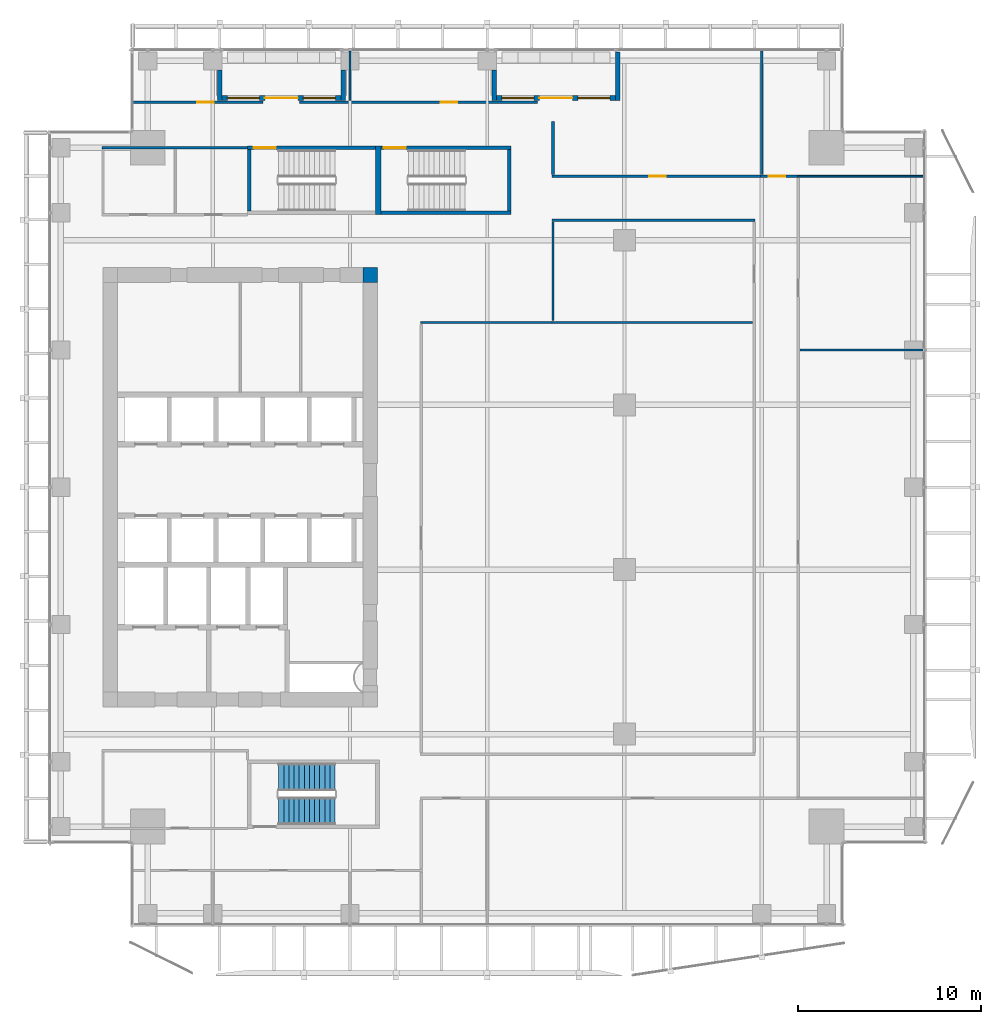
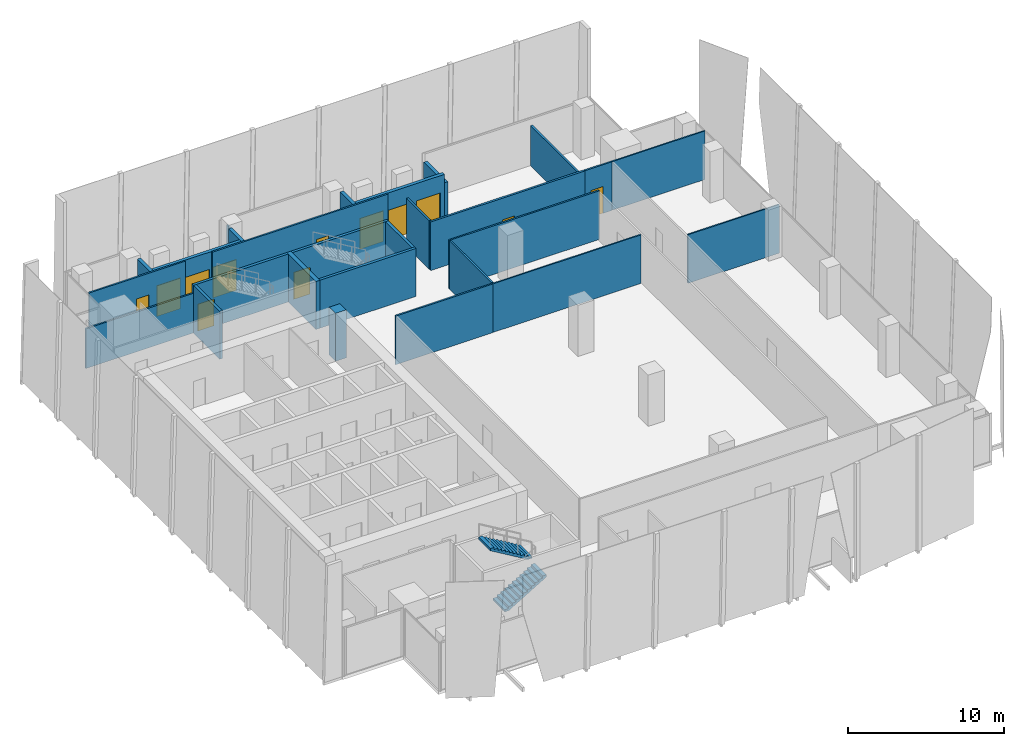
# One storey, part 30 of 35: 27 walls, 8 doors, 4 windows, 2 stair flights, 12 openings, 1 element without a shape of its own.
"""IFC4 building model written with IfcOpenShell, lengths in metres."""

from ifc_helpers import new_model, si_unit, direction, frame, frame_2d, origin, place, context, subcontext, project, spatial, polyline, rectangle, outline, extrude, source, transform, mapped, material, layer, layer_set, type_object, element, fill, aggregate, save


model = new_model("IFC4")

# Units and contexts
model_context = context("Model", 3, precision=1e-05, world=origin(), true_north=direction((0.0, 1.0)))
body_context = subcontext(model_context, "Body", "Model", "MODEL_VIEW")
ifc_project = project(units=[si_unit("LENGTHUNIT", "METRE"), si_unit("AREAUNIT", "SQUARE_METRE"), si_unit("VOLUMEUNIT", "CUBIC_METRE"), si_unit("PLANEANGLEUNIT", "RADIAN"), si_unit("MASSUNIT", "GRAM", prefix="KILO")], contexts=[model_context])

# Site, building, storey
site_placement = place(None, origin())
site = spatial("IfcSite", under=ifc_project, at=site_placement, CompositionType="ELEMENT")
building_placement = place(site_placement, origin())
building = spatial("IfcBuilding", under=site, at=building_placement, Name="Khomas Fold Tower", CompositionType="ELEMENT")
storey_placement = place(building_placement, frame((0.0, 0.0, 212.699951171875)))
storey = spatial("IfcBuildingStorey", under=building, at=storey_placement, Name="L47", CompositionType="ELEMENT", Elevation=212.699951171875)

# Wall
ifc_material_1 = material(Name="Concrete C60/75", Category="concrete")
ifc_layer_1 = layer(ifc_material_1, 0.800048828125)
ifc_layer_set_1 = layer_set([ifc_layer_1], Name="Concrete C60/75")
wall_type_1 = type_object("IfcWallType", Name="Core corner wall 800", PredefinedType="SHEAR", material=ifc_layer_set_1)
shared_shape_1 = source(origin(), body_context, "Body", "SweptSolid", [
    extrude(rectangle(XDim=0.800048828125, YDim=0.800048828125, at=frame_2d((0.39990234375, 0.0))), origin(), (0.0, 0.0, 1.0), 3.75),
])
wall_1_placement = place(storey_placement, frame((20.199951171875, 38.60009765625, 0.0), z_axis=(0.0, 0.0, 1.0), x_axis=(1.0, 0.0, 0.0)))
element("IfcWall", 1, at=wall_1_placement, inside=storey, type_object=wall_type_1, Name="Core wall CW-U-NE-L35", PredefinedType="SHEAR", context=body_context, shape_type="MappedRepresentation", body=[
    mapped(shared_shape_1, transform((0.0, 0.0, 0.0))),
])

# Wall, opening, door
ifc_material_2 = material(Name="Concrete C50/60", Category="concrete")
ifc_layer_2 = layer(ifc_material_2, 0.199951171875)
ifc_layer_set_2 = layer_set([ifc_layer_2], Name="Concrete C50/60")
wall_type_2 = type_object("IfcWallType", Name="Stair wall 200", PredefinedType="SHEAR", material=ifc_layer_set_2)
shared_shape_2 = source(origin(), body_context, "Body", "SweptSolid", [
    extrude(rectangle(XDim=7.0, YDim=0.199951171875, at=frame_2d((3.5, 0.0))), origin(), (0.0, 0.0, 1.0), 3.75),
])
wall_2_placement = place(storey_placement, frame((13.89990234375, 45.550048828125, 0.0), z_axis=(0.0, 0.0, 1.0), x_axis=(1.0, 0.0, 0.0)))
wall_2 = element("IfcWall", 2, at=wall_2_placement, inside=storey, type_object=wall_type_2, Name="Stair wall SW-ST1-N", PredefinedType="SHEAR", context=body_context, shape_type="MappedRepresentation", body=[
    mapped(shared_shape_2, transform((0.0, 0.0, 0.0))),
])
shared_shape_3 = source(origin(), body_context, "Body", "SweptSolid", [
    extrude(rectangle(XDim=1.199951171875, YDim=2.10009765625, at=frame_2d((0.60009765625, 1.050048828125))), frame((0.0, 0.10986328125, 0.0), z_axis=(0.0, -1.0, 0.0), x_axis=(1.0, 0.0, 0.0)), (0.0, 0.0, 1.0), 0.219970703125),
])
opening_1_placement = place(wall_2_placement, frame((0.35009765625, 0.0, 0.0)))
opening_1 = element("IfcOpeningElement", 3, at=opening_1_placement, cuts=wall_2, Name="Opening SD-ST1", PredefinedType="OPENING", context=body_context, shape_type="MappedRepresentation", body=[
    mapped(shared_shape_3, transform((0.0, 0.0, 0.0))),
])
ifc_material_3 = material(Name="Steel door leaf", Category="steel")
door_type_1 = type_object("IfcDoorType", Name="Stair door 1200x2100 left-hand", OperationType="SINGLE_SWING_LEFT", PredefinedType="DOOR", material=ifc_material_3)
shared_shape_4 = source(origin(), body_context, "Body", "SweptSolid", [
    extrude(rectangle(XDim=1.199951171875, YDim=2.10009765625, at=frame_2d((0.60009765625, 1.050048828125))), frame((0.0, 0.02490234375, 0.0), z_axis=(0.0, -1.0, 0.0), x_axis=(1.0, 0.0, 0.0)), (0.0, 0.0, 1.0), 0.050048828125),
])
door_1_placement = place(opening_1_placement, origin())
door_1 = element("IfcDoor", 4, at=door_1_placement, inside=storey, type_object=door_type_1, Name="Stair door", OperationType="SINGLE_SWING_LEFT", OverallHeight=2.10009765625, OverallWidth=1.199951171875, PredefinedType="DOOR", context=body_context, shape_type="MappedRepresentation", body=[
    mapped(shared_shape_4, transform((0.0, 0.0, 0.0))),
])
fill(opening_1, door_1)

shared_shape_5 = source(origin(), body_context, "Body", "SweptSolid", [
    extrude(rectangle(XDim=7.10009765625, YDim=0.199951171875, at=frame_2d((3.550048828125, 0.0))), origin(), (0.0, 0.0, 1.0), 3.75),
])
wall_3_placement = place(storey_placement, frame((21.199951171875, 45.550048828125, 0.0), z_axis=(0.0, 0.0, 1.0), x_axis=(1.0, 0.0, 0.0)))
wall_3 = element("IfcWall", 5, at=wall_3_placement, inside=storey, type_object=wall_type_2, Name="Stair wall SW-ST3-N", PredefinedType="SHEAR", context=body_context, shape_type="MappedRepresentation", body=[
    mapped(shared_shape_5, transform((0.0, 0.0, 0.0))),
])
opening_2_placement = place(wall_3_placement, frame((0.14990234375, 0.0, 0.0)))
opening_2 = element("IfcOpeningElement", 6, at=opening_2_placement, cuts=wall_3, Name="Opening SD-ST3", PredefinedType="OPENING", context=body_context, shape_type="MappedRepresentation", body=[
    mapped(shared_shape_3, transform((0.0, 0.0, 0.0))),
])
door_2_placement = place(opening_2_placement, origin())
door_2 = element("IfcDoor", 7, at=door_2_placement, inside=storey, type_object=door_type_1, Name="Stair door", OperationType="SINGLE_SWING_LEFT", OverallHeight=2.10009765625, OverallWidth=1.199951171875, PredefinedType="DOOR", context=body_context, shape_type="MappedRepresentation", body=[
    mapped(shared_shape_4, transform((0.0, 0.0, 0.0))),
])
fill(opening_2, door_2)

# Walls
wall_4_placement = place(storey_placement, frame((21.199951171875, 42.0, 0.0), z_axis=(0.0, 0.0, 1.0), x_axis=(1.0, 0.0, 0.0)))
element("IfcWall", 8, at=wall_4_placement, inside=storey, type_object=wall_type_2, Name="Stair wall SW-ST3-S", PredefinedType="SHEAR", context=body_context, shape_type="MappedRepresentation", body=[
    mapped(shared_shape_5, transform((0.0, 0.0, 0.0))),
])
ifc_material_4 = material(Name="Concrete C50/60", Category="concrete")
ifc_layer_3 = layer(ifc_material_4, 0.300048828125)
ifc_layer_set_3 = layer_set([ifc_layer_3], Name="Concrete C50/60")
wall_type_3 = type_object("IfcWallType", Name="Stair wall 300", PredefinedType="SHEAR", material=ifc_layer_set_3)
shared_shape_6 = source(origin(), body_context, "Body", "SweptSolid", [
    extrude(rectangle(XDim=3.75, YDim=0.300048828125, at=frame_2d((1.875, 0.0))), origin(), (0.0, 0.0, 1.0), 3.75),
])
wall_5_placement = place(storey_placement, frame((21.050048828125, 41.89990234375, 0.0), z_axis=(0.0, 0.0, 1.0), x_axis=(0.0, 1.0, 0.0)))
element("IfcWall", 9, at=wall_5_placement, inside=storey, type_object=wall_type_3, Name="Stair wall SW-ST1-E", PredefinedType="SHEAR", context=body_context, shape_type="MappedRepresentation", body=[
    mapped(shared_shape_6, transform((0.0, 0.0, 0.0))),
])
shared_shape_7 = source(origin(), body_context, "Body", "SweptSolid", [
    extrude(rectangle(XDim=3.349853515625, YDim=0.199951171875, at=frame_2d((1.6748046875, 0.0))), origin(), (0.0, 0.0, 1.0), 3.75),
])
for number, where, z_axis, x_axis, name in (
    (10, (14.0, 42.10009765625, 0.0), (0.0, 0.0, 1.0), (0.0, 1.0, 0.0), "Stair wall SW-ST1-W"),
    (11, (28.199951171875, 42.10009765625, 0.0), (0.0, 0.0, 1.0), (0.0, 1.0, 0.0), "Stair wall SW-ST3-E"),
):
    element("IfcWall", number, at=place(storey_placement, frame(where, z_axis=z_axis, x_axis=x_axis)), inside=storey, type_object=wall_type_2, Name=name, PredefinedType="SHEAR", context=body_context, shape_type="MappedRepresentation", body=[
        mapped(shared_shape_7, transform((0.0, 0.0, 0.0))),
    ])

# Wall, openings, door, windows
ifc_material_5 = material(Name="Natural stone", Category="masonry")
ifc_layer_4 = layer(ifc_material_5, 0.0400390625)
ifc_material_6 = material(Name="Mineral wool insulation", Category="insulation")
ifc_layer_5 = layer(ifc_material_6, 0.10009765625)
ifc_material_7 = material(Name="Masonry", Category="masonry")
ifc_layer_6 = layer(ifc_material_7, 0.110107421875)
ifc_layer_set_4 = layer_set([ifc_layer_4, ifc_layer_5, ifc_layer_6], Name="Stone-faced insulated masonry")
wall_type_4 = type_object("IfcWallType", Name="BL-Balcony wall", PredefinedType="SOLIDWALL", material=ifc_layer_set_4)
shared_shape_8 = source(origin(), body_context, "Body", "SweptSolid", [
    extrude(rectangle(XDim=6.5, YDim=0.25, at=frame_2d((3.25, 0.0))), origin(), (0.0, 0.0, 1.0), 3.75),
])
wall_6_placement = place(storey_placement, frame((12.5, 48.27490234375, 0.0), z_axis=(0.0, 0.0, 1.0), x_axis=(1.0, 0.0, 0.0)))
wall_6 = element("IfcWall", 12, at=wall_6_placement, inside=storey, type_object=wall_type_4, Name="Balcony wall BAL-L47-N1", PredefinedType="SOLIDWALL", context=body_context, shape_type="MappedRepresentation", body=[
    mapped(shared_shape_8, transform((0.0, 0.0, 0.0))),
])
shared_shape_9 = source(origin(), body_context, "Body", "SweptSolid", [
    extrude(rectangle(XDim=1.75, YDim=2.39990234375, at=frame_2d((0.875, 1.199951171875))), frame((0.0, 0.135009765625, 0.0), z_axis=(0.0, -1.0, 0.0), x_axis=(1.0, 0.0, 0.0)), (0.0, 0.0, 1.0), 0.27001953125),
])
opening_3_placement = place(wall_6_placement, frame((0.300048828125, 0.0, 0.0)))
opening_3 = element("IfcOpeningElement", 13, at=opening_3_placement, cuts=wall_6, Name="Opening BL-W3", PredefinedType="OPENING", context=body_context, shape_type="MappedRepresentation", body=[
    mapped(shared_shape_9, transform((0.0, 0.0, 0.0))),
])
opening_4_placement = place(wall_6_placement, frame((4.449951171875, 0.0, 0.0)))
opening_4 = element("IfcOpeningElement", 14, at=opening_4_placement, cuts=wall_6, Name="Opening BL-W3", PredefinedType="OPENING", context=body_context, shape_type="MappedRepresentation", body=[
    mapped(shared_shape_9, transform((0.0, 0.0, 0.0))),
])
shared_shape_10 = source(origin(), body_context, "Body", "SweptSolid", [
    extrude(rectangle(XDim=1.800048828125, YDim=2.39990234375, at=frame_2d((0.89990234375, 1.199951171875))), frame((0.0, 0.135009765625, 0.0), z_axis=(0.0, -1.0, 0.0), x_axis=(1.0, 0.0, 0.0)), (0.0, 0.0, 1.0), 0.27001953125),
])
opening_5_placement = place(wall_6_placement, frame((2.35009765625, 0.0, 0.0)))
opening_5 = element("IfcOpeningElement", 15, at=opening_5_placement, cuts=wall_6, Name="Opening BD471", PredefinedType="OPENING", context=body_context, shape_type="MappedRepresentation", body=[
    mapped(shared_shape_10, transform((0.0, 0.0, 0.0))),
])
ifc_material_8 = material(Name="Aluminium framed double glazing", Category="aluminium")
door_type_2 = type_object("IfcDoorType", Name="BL-Glazed balcony door 1800 x 2400", OperationType="DOUBLE_DOOR_DOUBLE_SWING", PredefinedType="DOOR", material=ifc_material_8)
shared_shape_11 = source(origin(), body_context, "Body", "SweptSolid", [
    extrude(rectangle(XDim=1.800048828125, YDim=2.39990234375, at=frame_2d((0.89990234375, 1.199951171875))), frame((0.0, 0.02490234375, 0.0), z_axis=(0.0, -1.0, 0.0), x_axis=(1.0, 0.0, 0.0)), (0.0, 0.0, 1.0), 0.050048828125),
])
door_3_placement = place(opening_5_placement, origin())
door_3 = element("IfcDoor", 16, at=door_3_placement, inside=storey, type_object=door_type_2, Name="Balcony door BD471", OperationType="DOUBLE_DOOR_DOUBLE_SWING", OverallHeight=2.39990234375, OverallWidth=1.800048828125, PredefinedType="DOOR", context=body_context, shape_type="MappedRepresentation", body=[
    mapped(shared_shape_11, transform((0.0, 0.0, 0.0))),
])
fill(opening_5, door_3)
ifc_material_9 = material(Name="Aluminium framed double glazing", Category="aluminium")
window_type = type_object("IfcWindowType", Name="BL-Fixed glazing 1750 x 2400", PartitioningType="SINGLE_PANEL", PredefinedType="WINDOW", material=ifc_material_9)
shared_shape_12 = source(origin(), body_context, "Body", "SweptSolid", [
    extrude(rectangle(XDim=1.75, YDim=2.39990234375, at=frame_2d((0.875, 1.199951171875))), frame((0.0, 0.030029296875, 0.0), z_axis=(0.0, -1.0, 0.0), x_axis=(1.0, 0.0, 0.0)), (0.0, 0.0, 1.0), 0.06005859375),
])
window_1_placement = place(opening_3_placement, origin())
window_1 = element("IfcWindow", 17, at=window_1_placement, inside=storey, type_object=window_type, Name="Balcony glazing BAL-L47-N1-1", OverallHeight=2.39990234375, OverallWidth=1.75, PartitioningType="SINGLE_PANEL", PredefinedType="WINDOW", context=body_context, shape_type="MappedRepresentation", body=[
    mapped(shared_shape_12, transform((0.0, 0.0, 0.0))),
])
fill(opening_3, window_1)
window_2_placement = place(opening_4_placement, origin())
window_2 = element("IfcWindow", 18, at=window_2_placement, inside=storey, type_object=window_type, Name="Balcony glazing BAL-L47-N1-2", OverallHeight=2.39990234375, OverallWidth=1.75, PartitioningType="SINGLE_PANEL", PredefinedType="WINDOW", context=body_context, shape_type="MappedRepresentation", body=[
    mapped(shared_shape_12, transform((0.0, 0.0, 0.0))),
])
fill(opening_4, window_2)

wall_7_placement = place(storey_placement, frame((27.5, 48.27490234375, 0.0), z_axis=(0.0, 0.0, 1.0), x_axis=(1.0, 0.0, 0.0)))
wall_7 = element("IfcWall", 19, at=wall_7_placement, inside=storey, type_object=wall_type_4, Name="Balcony wall BAL-L47-N3", PredefinedType="SOLIDWALL", context=body_context, shape_type="MappedRepresentation", body=[
    mapped(shared_shape_8, transform((0.0, 0.0, 0.0))),
])
opening_6_placement = place(wall_7_placement, frame((0.300048828125, 0.0, 0.0)))
opening_6 = element("IfcOpeningElement", 20, at=opening_6_placement, cuts=wall_7, Name="Opening BL-W3", PredefinedType="OPENING", context=body_context, shape_type="MappedRepresentation", body=[
    mapped(shared_shape_9, transform((0.0, 0.0, 0.0))),
])
opening_7_placement = place(wall_7_placement, frame((4.449951171875, 0.0, 0.0)))
opening_7 = element("IfcOpeningElement", 21, at=opening_7_placement, cuts=wall_7, Name="Opening BL-W3", PredefinedType="OPENING", context=body_context, shape_type="MappedRepresentation", body=[
    mapped(shared_shape_9, transform((0.0, 0.0, 0.0))),
])
opening_8_placement = place(wall_7_placement, frame((2.35009765625, 0.0, 0.0)))
opening_8 = element("IfcOpeningElement", 22, at=opening_8_placement, cuts=wall_7, Name="Opening BD472", PredefinedType="OPENING", context=body_context, shape_type="MappedRepresentation", body=[
    mapped(shared_shape_10, transform((0.0, 0.0, 0.0))),
])
door_4_placement = place(opening_8_placement, origin())
door_4 = element("IfcDoor", 23, at=door_4_placement, inside=storey, type_object=door_type_2, Name="Balcony door BD472", OperationType="DOUBLE_DOOR_DOUBLE_SWING", OverallHeight=2.39990234375, OverallWidth=1.800048828125, PredefinedType="DOOR", context=body_context, shape_type="MappedRepresentation", body=[
    mapped(shared_shape_11, transform((0.0, 0.0, 0.0))),
])
fill(opening_8, door_4)
window_3_placement = place(opening_6_placement, origin())
window_3 = element("IfcWindow", 24, at=window_3_placement, inside=storey, type_object=window_type, Name="Balcony glazing BAL-L47-N3-1", OverallHeight=2.39990234375, OverallWidth=1.75, PartitioningType="SINGLE_PANEL", PredefinedType="WINDOW", context=body_context, shape_type="MappedRepresentation", body=[
    mapped(shared_shape_12, transform((0.0, 0.0, 0.0))),
])
fill(opening_6, window_3)
window_4_placement = place(opening_7_placement, origin())
window_4 = element("IfcWindow", 25, at=window_4_placement, inside=storey, type_object=window_type, Name="Balcony glazing BAL-L47-N3-2", OverallHeight=2.39990234375, OverallWidth=1.75, PartitioningType="SINGLE_PANEL", PredefinedType="WINDOW", context=body_context, shape_type="MappedRepresentation", body=[
    mapped(shared_shape_12, transform((0.0, 0.0, 0.0))),
])
fill(opening_7, window_4)

# Walls
shared_shape_13 = source(origin(), body_context, "Body", "SweptSolid", [
    extrude(rectangle(XDim=1.650146484375, YDim=0.25, at=frame_2d((0.8251953125, 0.0))), origin(), (0.0, 0.0, 1.0), 3.75),
])
for number, where, z_axis, x_axis, name in (
    (26, (12.375, 49.800048828125, 0.0), (0.0, 0.0, 1.0), (0.0, -1.0, 0.0), "Balcony return wall BAL-L47-N1-lo"),
    (27, (19.125, 49.800048828125, 0.0), (0.0, 0.0, 1.0), (0.0, -1.0, 0.0), "Balcony return wall BAL-L47-N1-hi"),
    (28, (27.375, 49.800048828125, 0.0), (0.0, 0.0, 1.0), (0.0, -1.0, 0.0), "Balcony return wall BAL-L47-N3-lo"),
):
    element("IfcWall", number, at=place(storey_placement, frame(where, z_axis=z_axis, x_axis=x_axis)), inside=storey, type_object=wall_type_4, Name=name, PredefinedType="SOLIDWALL", context=body_context, shape_type="MappedRepresentation", body=[
        mapped(shared_shape_13, transform((0.0, 0.0, 0.0))),
    ])
shared_shape_14 = source(origin(), body_context, "Body", "SweptSolid", [
    extrude(rectangle(XDim=2.650146484375, YDim=0.25, at=frame_2d((1.3251953125, 0.0))), origin(), (0.0, 0.0, 1.0), 3.10009765625),
])
wall_8_placement = place(storey_placement, frame((34.125, 50.800048828125, 0.0), z_axis=(0.0, 0.0, 1.0), x_axis=(0.0, -1.0, 0.0)))
element("IfcWall", 29, at=wall_8_placement, inside=storey, type_object=wall_type_4, Name="Balcony return wall BAL-L47-N3-hi", PredefinedType="SOLIDWALL", context=body_context, shape_type="MappedRepresentation", body=[
    mapped(shared_shape_14, transform((0.0, 0.0, 0.0))),
])
ifc_material_10 = material(Name="Plasterboard partition")
ifc_layer_7 = layer(ifc_material_10, 0.10009765625)
ifc_layer_set_5 = layer_set([ifc_layer_7], Name="Plasterboard partition")
wall_type_5 = type_object("IfcWallType", Name="Partition PW1 100", PredefinedType="PARTITIONING", material=ifc_layer_set_5)
shared_shape_15 = source(origin(), body_context, "Body", "SweptSolid", [
    extrude(rectangle(XDim=6.75, YDim=0.10009765625, at=frame_2d((3.375, 0.0))), origin(), (0.0, 0.0, 1.0), 3.800048828125),
])
wall_9_placement = place(storey_placement, frame((44.10009765625, 34.5, 0.0), z_axis=(0.0, 0.0, 1.0), x_axis=(1.0, 0.0, 0.0)))
element("IfcWall", 30, at=wall_9_placement, inside=storey, type_object=wall_type_5, Name="Partition", PredefinedType="PARTITIONING", context=body_context, shape_type="MappedRepresentation", body=[
    mapped(shared_shape_15, transform((0.0, 0.0, 0.0))),
])

# Wall, opening, door
ifc_material_11 = material(Name="Plasterboard partition")
ifc_layer_8 = layer(ifc_material_11, 0.125)
ifc_layer_set_6 = layer_set([ifc_layer_8], Name="Plasterboard partition")
wall_type_6 = type_object("IfcWallType", Name="Partition PW2 125", PredefinedType="PARTITIONING", material=ifc_layer_set_6)
shared_shape_16 = source(origin(), body_context, "Body", "SweptSolid", [
    extrude(rectangle(XDim=7.10009765625, YDim=0.125, at=frame_2d((3.550048828125, 0.0))), origin(), (0.0, 0.0, 1.0), 3.800048828125),
])
wall_10_placement = place(storey_placement, frame((7.64990234375, 48.050048828125, 0.0), z_axis=(0.0, 0.0, 1.0), x_axis=(1.0, 0.0, 0.0)))
wall_10 = element("IfcWall", 31, at=wall_10_placement, inside=storey, type_object=wall_type_6, Name="Partition", PredefinedType="PARTITIONING", context=body_context, shape_type="MappedRepresentation", body=[
    mapped(shared_shape_16, transform((0.0, 0.0, 0.0))),
])
shared_shape_17 = source(origin(), body_context, "Body", "SweptSolid", [
    extrude(rectangle(XDim=0.89990234375, YDim=2.10009765625, at=frame_2d((0.449951171875, 1.050048828125))), frame((0.0, 0.072509765625, 0.0), z_axis=(0.0, -1.0, 0.0), x_axis=(1.0, 0.0, 0.0)), (0.0, 0.0, 1.0), 0.14501953125),
])
opening_9_placement = place(wall_10_placement, frame((3.5, 0.0, 0.0)))
opening_9 = element("IfcOpeningElement", 32, at=opening_9_placement, cuts=wall_10, Name="Opening 0008", PredefinedType="OPENING", context=body_context, shape_type="MappedRepresentation", body=[
    mapped(shared_shape_17, transform((0.0, 0.0, 0.0))),
])
ifc_material_12 = material(Name="Timber door leaf", Category="wood")
door_type_3 = type_object("IfcDoorType", Name="Door 900x2100 right-hand", OperationType="SINGLE_SWING_RIGHT", PredefinedType="DOOR", material=ifc_material_12)
shared_shape_18 = source(origin(), body_context, "Body", "SweptSolid", [
    extrude(rectangle(XDim=0.89990234375, YDim=2.10009765625, at=frame_2d((0.449951171875, 1.050048828125))), frame((0.0, 0.02490234375, 0.0), z_axis=(0.0, -1.0, 0.0), x_axis=(1.0, 0.0, 0.0)), (0.0, 0.0, 1.0), 0.050048828125),
])
door_5_placement = place(opening_9_placement, origin())
door_5 = element("IfcDoor", 33, at=door_5_placement, inside=storey, type_object=door_type_3, Name="Door", OperationType="SINGLE_SWING_RIGHT", OverallHeight=2.10009765625, OverallWidth=0.89990234375, PredefinedType="DOOR", context=body_context, shape_type="MappedRepresentation", body=[
    mapped(shared_shape_18, transform((0.0, 0.0, 0.0))),
])
fill(opening_9, door_5)

# Walls
shared_shape_19 = source(origin(), body_context, "Body", "SweptSolid", [
    extrude(rectangle(XDim=6.900146484375, YDim=0.10009765625, at=frame_2d((3.4501953125, 0.0))), origin(), (0.0, 0.0, 1.0), 3.800048828125),
])
wall_11_placement = place(storey_placement, frame((43.949951171875, 44.0, 0.0), z_axis=(0.0, 0.0, 1.0), x_axis=(1.0, 0.0, 0.0)))
element("IfcWall", 34, at=wall_11_placement, inside=storey, type_object=wall_type_5, Name="Partition", PredefinedType="PARTITIONING", context=body_context, shape_type="MappedRepresentation", body=[
    mapped(shared_shape_19, transform((0.0, 0.0, 0.0))),
])
shared_shape_20 = source(origin(), body_context, "Body", "SweptSolid", [
    extrude(rectangle(XDim=7.199951171875, YDim=0.125, at=frame_2d((3.60009765625, 0.0))), origin(), (0.0, 0.0, 1.0), 3.800048828125),
])
wall_12_placement = place(storey_placement, frame((23.35009765625, 36.0, 0.0), z_axis=(0.0, 0.0, 1.0), x_axis=(1.0, 0.0, 0.0)))
element("IfcWall", 35, at=wall_12_placement, inside=storey, type_object=wall_type_6, Name="Partition", PredefinedType="PARTITIONING", context=body_context, shape_type="MappedRepresentation", body=[
    mapped(shared_shape_20, transform((0.0, 0.0, 0.0))),
])
shared_shape_21 = source(origin(), body_context, "Body", "SweptSolid", [
    extrude(rectangle(XDim=10.949951171875, YDim=0.10009765625, at=frame_2d((5.47509765625, 0.0))), origin(), (0.0, 0.0, 1.0), 3.800048828125),
])
wall_13_placement = place(storey_placement, frame((30.550048828125, 36.0, 0.0), z_axis=(0.0, 0.0, 1.0), x_axis=(1.0, 0.0, 0.0)))
element("IfcWall", 36, at=wall_13_placement, inside=storey, type_object=wall_type_5, Name="Partition", PredefinedType="PARTITIONING", context=body_context, shape_type="MappedRepresentation", body=[
    mapped(shared_shape_21, transform((0.0, 0.0, 0.0))),
])
shared_shape_22 = source(origin(), body_context, "Body", "SweptSolid", [
    extrude(rectangle(XDim=5.39990234375, YDim=0.125, at=frame_2d((2.699951171875, 0.0))), origin(), (0.0, 0.0, 1.0), 3.800048828125),
])
wall_14_placement = place(storey_placement, frame((30.60009765625, 36.10009765625, 0.0), z_axis=(0.0, 0.0, 1.0), x_axis=(0.0, 1.0, 0.0)))
element("IfcWall", 37, at=wall_14_placement, inside=storey, type_object=wall_type_6, Name="Partition", PredefinedType="PARTITIONING", context=body_context, shape_type="MappedRepresentation", body=[
    mapped(shared_shape_22, transform((0.0, 0.0, 0.0))),
])
shared_shape_23 = source(origin(), body_context, "Body", "SweptSolid", [
    extrude(rectangle(XDim=11.099853515625, YDim=0.125, at=frame_2d((5.5498046875, 0.0))), origin(), (0.0, 0.0, 1.0), 3.800048828125),
])
wall_15_placement = place(storey_placement, frame((30.550048828125, 41.60009765625, 0.0), z_axis=(0.0, 0.0, 1.0), x_axis=(1.0, 0.0, 0.0)))
element("IfcWall", 38, at=wall_15_placement, inside=storey, type_object=wall_type_6, Name="Partition", PredefinedType="PARTITIONING", context=body_context, shape_type="MappedRepresentation", body=[
    mapped(shared_shape_23, transform((0.0, 0.0, 0.0))),
])

# Wall, opening, door
ifc_material_13 = material(Name="Plasterboard fire partition")
ifc_layer_9 = layer(ifc_material_13, 0.14990234375)
ifc_layer_set_7 = layer_set([ifc_layer_9], Name="Plasterboard fire partition")
wall_type_7 = type_object("IfcWallType", Name="Plant room wall PW3 150", PredefinedType="PARTITIONING", material=ifc_layer_set_7)
shared_shape_24 = source(origin(), body_context, "Body", "SweptSolid", [
    extrude(rectangle(XDim=11.39990234375, YDim=0.14990234375, at=frame_2d((5.699951171875, 0.0))), origin(), (0.0, 0.0, 1.0), 3.800048828125),
])
wall_16_placement = place(storey_placement, frame((30.550048828125, 44.0, 0.0), z_axis=(0.0, 0.0, 1.0), x_axis=(1.0, 0.0, 0.0)))
wall_16 = element("IfcWall", 39, at=wall_16_placement, inside=storey, type_object=wall_type_7, Name="Plant room wall", PredefinedType="PARTITIONING", context=body_context, shape_type="MappedRepresentation", body=[
    mapped(shared_shape_24, transform((0.0, 0.0, 0.0))),
])
shared_shape_25 = source(origin(), body_context, "Body", "SweptSolid", [
    extrude(rectangle(XDim=0.89990234375, YDim=2.10009765625, at=frame_2d((0.449951171875, 1.050048828125))), frame((0.0, 0.0849609375, 0.0), z_axis=(0.0, -1.0, 0.0), x_axis=(1.0, 0.0, 0.0)), (0.0, 0.0, 1.0), 0.169921875),
])
opening_10_placement = place(wall_16_placement, frame((5.300048828125, 0.0, 0.0)))
opening_10 = element("IfcOpeningElement", 40, at=opening_10_placement, cuts=wall_16, Name="Opening 0003", PredefinedType="OPENING", context=body_context, shape_type="MappedRepresentation", body=[
    mapped(shared_shape_25, transform((0.0, 0.0, 0.0))),
])
ifc_material_14 = material(Name="Steel door leaf", Category="steel")
door_type_4 = type_object("IfcDoorType", Name="Plant room door 900x2100 right-hand", OperationType="SINGLE_SWING_RIGHT", PredefinedType="DOOR", material=ifc_material_14)
door_6_placement = place(opening_10_placement, origin())
door_6 = element("IfcDoor", 41, at=door_6_placement, inside=storey, type_object=door_type_4, Name="Plant room door", OperationType="SINGLE_SWING_RIGHT", OverallHeight=2.10009765625, OverallWidth=0.89990234375, PredefinedType="DOOR", context=body_context, shape_type="MappedRepresentation", body=[
    mapped(shared_shape_18, transform((0.0, 0.0, 0.0))),
])
fill(opening_10, door_6)

shared_shape_26 = source(origin(), body_context, "Body", "SweptSolid", [
    extrude(rectangle(XDim=2.0, YDim=0.125, at=frame_2d((1.0, 0.0))), origin(), (0.0, 0.0, 1.0), 3.800048828125),
])
wall_17_placement = place(storey_placement, frame((41.949951171875, 44.0, 0.0), z_axis=(0.0, 0.0, 1.0), x_axis=(1.0, 0.0, 0.0)))
wall_17 = element("IfcWall", 42, at=wall_17_placement, inside=storey, type_object=wall_type_6, Name="Partition", PredefinedType="PARTITIONING", context=body_context, shape_type="MappedRepresentation", body=[
    mapped(shared_shape_26, transform((0.0, 0.0, 0.0))),
])
opening_11_placement = place(wall_17_placement, frame((0.449951171875, 0.0, 0.0)))
opening_11 = element("IfcOpeningElement", 43, at=opening_11_placement, cuts=wall_17, Name="Opening 0008", PredefinedType="OPENING", context=body_context, shape_type="MappedRepresentation", body=[
    mapped(shared_shape_17, transform((0.0, 0.0, 0.0))),
])
door_7_placement = place(opening_11_placement, origin())
door_7 = element("IfcDoor", 44, at=door_7_placement, inside=storey, type_object=door_type_3, Name="Door", OperationType="SINGLE_SWING_RIGHT", OverallHeight=2.10009765625, OverallWidth=0.89990234375, PredefinedType="DOOR", context=body_context, shape_type="MappedRepresentation", body=[
    mapped(shared_shape_18, transform((0.0, 0.0, 0.0))),
])
fill(opening_11, door_7)

# Wall
shared_shape_27 = source(origin(), body_context, "Body", "SweptSolid", [
    extrude(rectangle(XDim=2.89990234375, YDim=0.14990234375, at=frame_2d((1.449951171875, 0.0))), origin(), (0.0, 0.0, 1.0), 3.800048828125),
])
wall_18_placement = place(storey_placement, frame((30.60009765625, 44.10009765625, 0.0), z_axis=(0.0, 0.0, 1.0), x_axis=(0.0, 1.0, 0.0)))
element("IfcWall", 45, at=wall_18_placement, inside=storey, type_object=wall_type_7, Name="Plant room wall", PredefinedType="PARTITIONING", context=body_context, shape_type="MappedRepresentation", body=[
    mapped(shared_shape_27, transform((0.0, 0.0, 0.0))),
])

# Wall, opening, door
shared_shape_28 = source(origin(), body_context, "Body", "SweptSolid", [
    extrude(rectangle(XDim=13.0, YDim=0.125, at=frame_2d((6.5, 0.0))), origin(), (0.0, 0.0, 1.0), 3.800048828125),
])
wall_19_placement = place(storey_placement, frame((16.75, 48.050048828125, 0.0), z_axis=(0.0, 0.0, 1.0), x_axis=(1.0, 0.0, 0.0)))
wall_19 = element("IfcWall", 46, at=wall_19_placement, inside=storey, type_object=wall_type_6, Name="Partition", PredefinedType="PARTITIONING", context=body_context, shape_type="MappedRepresentation", body=[
    mapped(shared_shape_28, transform((0.0, 0.0, 0.0))),
])
opening_12_placement = place(wall_19_placement, frame((7.699951171875, 0.0, 0.0)))
opening_12 = element("IfcOpeningElement", 47, at=opening_12_placement, cuts=wall_19, Name="Opening 0008", PredefinedType="OPENING", context=body_context, shape_type="MappedRepresentation", body=[
    mapped(shared_shape_17, transform((0.0, 0.0, 0.0))),
])
door_8_placement = place(opening_12_placement, origin())
door_8 = element("IfcDoor", 48, at=door_8_placement, inside=storey, type_object=door_type_3, Name="Door", OperationType="SINGLE_SWING_RIGHT", OverallHeight=2.10009765625, OverallWidth=0.89990234375, PredefinedType="DOOR", context=body_context, shape_type="MappedRepresentation", body=[
    mapped(shared_shape_18, transform((0.0, 0.0, 0.0))),
])
fill(opening_12, door_8)

# Walls
shared_shape_29 = source(origin(), body_context, "Body", "SweptSolid", [
    extrude(rectangle(XDim=7.949951171875, YDim=0.125, at=frame_2d((3.97509765625, 0.0))), origin(), (0.0, 0.0, 1.0), 3.10009765625),
])
wall_20_placement = place(storey_placement, frame((5.949951171875, 45.550048828125, 0.0), z_axis=(0.0, 0.0, 1.0), x_axis=(1.0, 0.0, 0.0)))
element("IfcWall", 49, at=wall_20_placement, inside=storey, type_object=wall_type_6, Name="Partition", PredefinedType="PARTITIONING", context=body_context, shape_type="MappedRepresentation", body=[
    mapped(shared_shape_29, transform((0.0, 0.0, 0.0))),
])
shared_shape_30 = source(origin(), body_context, "Body", "SweptSolid", [
    extrude(rectangle(XDim=6.75, YDim=0.14990234375, at=frame_2d((3.375, 0.0))), origin(), (0.0, 0.0, 1.0), 3.150146484375),
])
wall_21_placement = place(storey_placement, frame((42.0, 44.10009765625, 0.0), z_axis=(0.0, 0.0, 1.0), x_axis=(0.0, 1.0, 0.0)))
element("IfcWall", 50, at=wall_21_placement, inside=storey, type_object=wall_type_7, Name="Plant room wall", PredefinedType="PARTITIONING", context=body_context, shape_type="MappedRepresentation", body=[
    mapped(shared_shape_30, transform((0.0, 0.0, 0.0))),
])
shared_shape_31 = source(origin(), body_context, "Body", "SweptSolid", [
    extrude(rectangle(XDim=2.7001953125, YDim=0.10009765625, at=frame_2d((1.35009765625, 0.0))), origin(), (0.0, 0.0, 1.0), 3.27001953125),
])
wall_22_placement = place(storey_placement, frame((19.5, 48.14990234375, 0.0), z_axis=(0.0, 0.0, 1.0), x_axis=(0.0, 1.0, 0.0)))
element("IfcWall", 51, at=wall_22_placement, inside=storey, type_object=wall_type_5, Name="Partition", PredefinedType="PARTITIONING", context=body_context, shape_type="MappedRepresentation", body=[
    mapped(shared_shape_31, transform((0.0, 0.0, 0.0))),
])

# Stair, stair flights
ifc_material_15 = material(Name="Concrete C40/50", Category="concrete")
stair_type = type_object("IfcStairType", Name="Stair ST2", PredefinedType="HALF_TURN_STAIR", material=ifc_material_15)
stair_placement = place(storey_placement, origin())
stair = element("IfcStair", 52, at=stair_placement, inside=storey, type_object=stair_type, Name="L47 ST2", PredefinedType="HALF_TURN_STAIR")
ifc_material_16 = material(Name="Concrete C40/50", Category="concrete")
stair_flight_type = type_object("IfcStairFlightType", Name="Stair flight 1500 ST2", PredefinedType="STRAIGHT", material=ifc_material_16)
shared_shape_32 = source(origin(), body_context, "Body", "SweptSolid", [
    extrude(outline(polyline([(0.0, 0.0), (0.0, 0.012939453125), (0.0, 0.025634765625), (0.0, 0.03857421875), (0.0, 0.05126953125), (0.0, 0.064208984375), (0.0, 0.076904296875), (0.0, 0.08984375), (0.0, 0.1025390625), (0.0, 0.115478515625), (0.0, 0.128173828125), (0.0, 0.14111328125), (0.0, 0.15380859375), (0.0, 0.166748046875), (0.280029296875, 0.166748046875), (0.280029296875, 0.333251953125), (0.56005859375, 0.333251953125), (0.56005859375, 0.5), (0.840087890625, 0.5), (0.840087890625, 0.666748046875), (1.1201171875, 0.666748046875), (1.1201171875, 0.833251953125), (1.39990234375, 0.833251953125), (1.39990234375, 1.0), (1.679931640625, 1.0), (1.679931640625, 1.166748046875), (1.9599609375, 1.166748046875), (1.9599609375, 1.333251953125), (2.239990234375, 1.333251953125), (2.239990234375, 1.5), (2.52001953125, 1.5), (2.52001953125, 1.666748046875), (2.800048828125, 1.666748046875), (2.800048828125, 1.833251953125), (3.080078125, 1.833251953125), (3.080078125, 2.0), (3.080078125, 1.973876953125), (3.080078125, 1.947509765625), (3.080078125, 1.92138671875), (3.080078125, 1.89501953125), (3.080078125, 1.868896484375), (3.080078125, 1.842529296875), (3.080078125, 1.81640625), (3.080078125, 1.7900390625), (3.080078125, 1.763916015625), (3.080078125, 1.737548828125), (3.080078125, 1.71142578125), (3.080078125, 1.68505859375), (3.080078125, 1.658935546875), (0.29296875, 0.0), (0.0, 0.0)])), frame((0.0, 0.75, 0.0), z_axis=(0.0, -1.0, 0.0), x_axis=(1.0, 0.0, 0.0)), (0.0, 0.0, 1.0), 1.5),
])
stair_flight_1_placement = place(storey_placement, frame((15.60009765625, 9.300048828125, 0.0), z_axis=(0.0, 0.0, 1.0), x_axis=(1.0, 0.0, 0.0)))
stair_flight_1 = element("IfcStairFlight", 53, at=stair_flight_1_placement, type_object=stair_flight_type, Name="ST2 flight 1", NumberOfRisers=12, NumberOfTreads=11, PredefinedType="STRAIGHT", RiserHeight=0.166666667, TreadLength=0.28, context=body_context, shape_type="MappedRepresentation", body=[
    mapped(shared_shape_32, transform((0.0, 0.0, 0.0))),
])
stair_flight_2_placement = place(storey_placement, frame((18.679931640625, 11.14990234375, 2.0), z_axis=(0.0, 0.0, 1.0), x_axis=(-1.0, 0.0, 0.0)))
stair_flight_2 = element("IfcStairFlight", 54, at=stair_flight_2_placement, type_object=stair_flight_type, Name="ST2 flight 2", NumberOfRisers=12, NumberOfTreads=11, PredefinedType="STRAIGHT", RiserHeight=0.166666667, TreadLength=0.28, context=body_context, shape_type="MappedRepresentation", body=[
    mapped(shared_shape_32, transform((0.0, 0.0, 0.0))),
])
aggregate(stair, [stair_flight_1, stair_flight_2])

save(model, "model.ifc")
